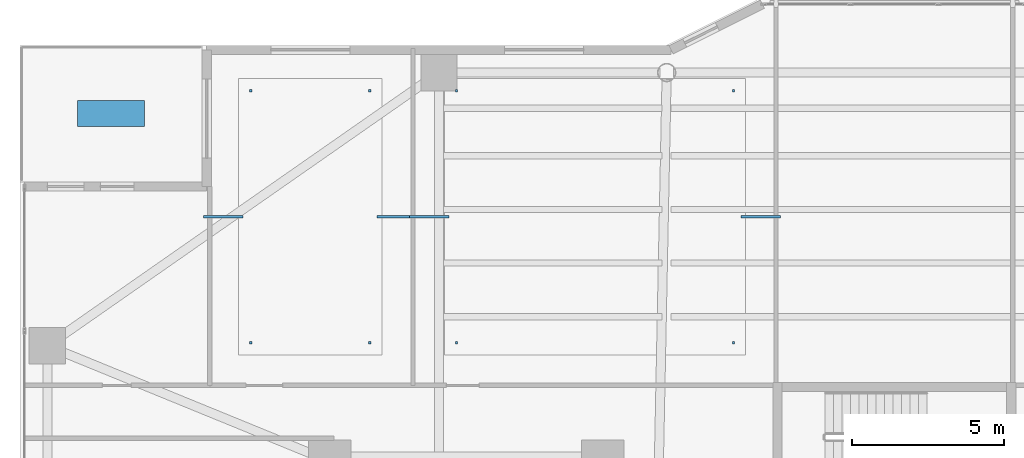
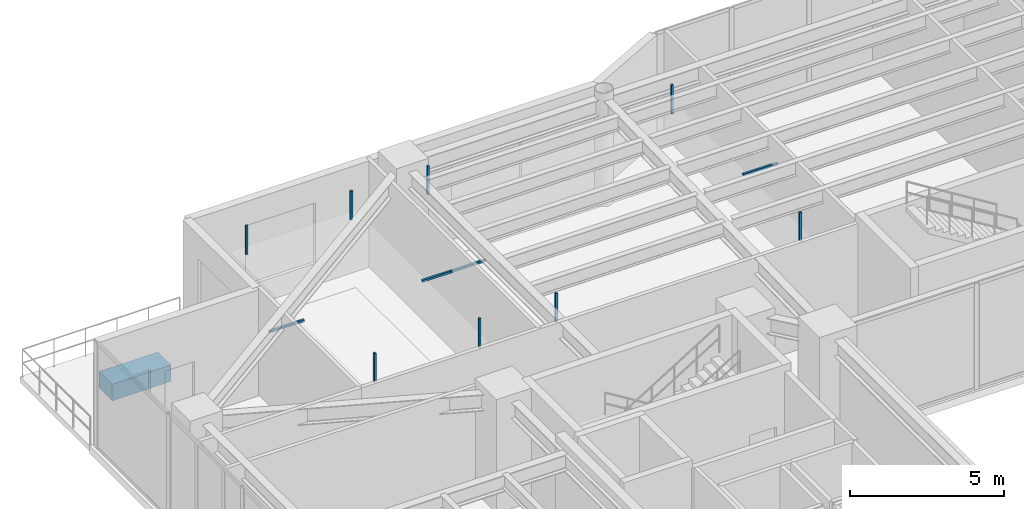
# One storey, part 35 of 40: 13 discrete accessories.
"""IFC4 building model written with IfcOpenShell, lengths in metres."""

from ifc_helpers import new_model, si_unit, direction, frame, origin, origin_2d, place, context, subcontext, project, spatial, rectangle, extrude, material, type_object, element, save


model = new_model("IFC4")

# Units and contexts
model_context = context("Model", 3, precision=1e-05, world=origin(), true_north=direction((0.0, 1.0)))
body_context = subcontext(model_context, "Body", "Model", "MODEL_VIEW")
ifc_project = project(units=[si_unit("LENGTHUNIT", "METRE"), si_unit("AREAUNIT", "SQUARE_METRE"), si_unit("VOLUMEUNIT", "CUBIC_METRE"), si_unit("PLANEANGLEUNIT", "RADIAN"), si_unit("MASSUNIT", "GRAM", prefix="KILO")], contexts=[model_context])

# Site, building, storey
site_placement = place(None, origin())
site = spatial("IfcSite", under=ifc_project, at=site_placement, CompositionType="ELEMENT")
building_placement = place(site_placement, origin())
building = spatial("IfcBuilding", under=site, at=building_placement, Name="Tarnavaz Court Tower", CompositionType="ELEMENT")
storey_placement = place(building_placement, frame((0.0, 0.0, 64.199951171875)))
storey = spatial("IfcBuildingStorey", under=building, at=storey_placement, Name="L17", CompositionType="ELEMENT", Elevation=64.199951171875)

# Discrete accessories
ifc_material_1 = material(Name="Anodised Aluminium 6063-T6", Category="aluminium")
discrete_accessory_type_1 = type_object("IfcDiscreteAccessoryType", Name="DA-BRKT-ALU", PredefinedType="BRACKET", material=ifc_material_1)
for number, where, z_axis, x_axis, name in (
    (1, (-21.199951171875, 13.89990234375, 3.09033203125), (0.0, 0.0, 1.0), (1.0, 0.0, 0.0), "L17 Ceiling Suspension Hanger Bracket 01-1"),
    (2, (-17.283935546875, 13.89990234375, 3.09033203125), (0.0, 0.0, 1.0), (1.0, 0.0, 0.0), "L17 Ceiling Suspension Hanger Bracket 01-2"),
    (3, (-17.283935546875, 22.199951171875, 3.09033203125), (0.0, 0.0, 1.0), (1.0, 0.0, 0.0), "L17 Ceiling Suspension Hanger Bracket 01-3"),
    (4, (-21.199951171875, 22.199951171875, 3.09033203125), (0.0, 0.0, 1.0), (1.0, 0.0, 0.0), "L17 Ceiling Suspension Hanger Bracket 01-4"),
):
    element("IfcDiscreteAccessory", number, at=place(storey_placement, frame(where, z_axis=z_axis, x_axis=x_axis)), inside=storey, type_object=discrete_accessory_type_1, Name=name, PredefinedType="BRACKET", context=body_context, shape_type="SweptSolid", body=[
        extrude(rectangle(XDim=0.080078125, YDim=0.080078125, at=origin_2d()), origin(), (0.0, 0.0, 1.0), 1.139892578125),
    ])
for number, where, z_axis, x_axis, name in (
    (5, (-22.10009765625, 18.050048828125, 3.052490234375), (0.0, 0.0, 1.0), (1.0, 0.0, 0.0), "L17 Ceiling Perimeter Wall-Tie Bracket 01-1"),
    (6, (-16.384033203125, 18.050048828125, 3.052490234375), (0.0, 0.0, 1.0), (1.0, 0.0, 0.0), "L17 Ceiling Perimeter Wall-Tie Bracket 01-2"),
):
    element("IfcDiscreteAccessory", number, at=place(storey_placement, frame(where, z_axis=z_axis, x_axis=x_axis)), inside=storey, type_object=discrete_accessory_type_1, Name=name, PredefinedType="BRACKET", context=body_context, shape_type="SweptSolid", body=[
        extrude(rectangle(XDim=1.300048828125, YDim=0.080078125, at=origin_2d()), origin(), (0.0, 0.0, 1.0), 0.080078125),
    ])
for number, where, z_axis, x_axis, name in (
    (7, (-14.424072265625, 13.89990234375, 3.09033203125), (0.0, 0.0, 1.0), (1.0, 0.0, 0.0), "L17 Ceiling Suspension Hanger Bracket 02-1"),
    (8, (-5.300048828125, 13.89990234375, 3.09033203125), (0.0, 0.0, 1.0), (1.0, 0.0, 0.0), "L17 Ceiling Suspension Hanger Bracket 02-2"),
    (9, (-5.300048828125, 22.199951171875, 3.09033203125), (0.0, 0.0, 1.0), (1.0, 0.0, 0.0), "L17 Ceiling Suspension Hanger Bracket 02-3"),
    (10, (-14.424072265625, 22.199951171875, 3.09033203125), (0.0, 0.0, 1.0), (1.0, 0.0, 0.0), "L17 Ceiling Suspension Hanger Bracket 02-4"),
):
    element("IfcDiscreteAccessory", number, at=place(storey_placement, frame(where, z_axis=z_axis, x_axis=x_axis)), inside=storey, type_object=discrete_accessory_type_1, Name=name, PredefinedType="BRACKET", context=body_context, shape_type="SweptSolid", body=[
        extrude(rectangle(XDim=0.080078125, YDim=0.080078125, at=origin_2d()), origin(), (0.0, 0.0, 1.0), 1.139892578125),
    ])
for number, where, z_axis, x_axis, name in (
    (11, (-15.323974609375, 18.050048828125, 3.052490234375), (0.0, 0.0, 1.0), (1.0, 0.0, 0.0), "L17 Ceiling Perimeter Wall-Tie Bracket 02-1"),
    (12, (-4.39990234375, 18.050048828125, 3.052490234375), (0.0, 0.0, 1.0), (1.0, 0.0, 0.0), "L17 Ceiling Perimeter Wall-Tie Bracket 02-2"),
):
    element("IfcDiscreteAccessory", number, at=place(storey_placement, frame(where, z_axis=z_axis, x_axis=x_axis)), inside=storey, type_object=discrete_accessory_type_1, Name=name, PredefinedType="BRACKET", context=body_context, shape_type="SweptSolid", body=[
        extrude(rectangle(XDim=1.300048828125, YDim=0.080078125, at=origin_2d()), origin(), (0.0, 0.0, 1.0), 0.080078125),
    ])
ifc_material_2 = material(Name="Terracotta Architectural Planter Trough", Category="masonry")
discrete_accessory_type_2 = type_object("IfcDiscreteAccessoryType", Name="DA-PLANTER-TC", PredefinedType="USERDEFINED", material=ifc_material_2)
discrete_accessory_placement = place(storey_placement, frame((-25.800048828125, 21.449951171875, 0.0), z_axis=(0.0, 0.0, 1.0), x_axis=(1.0, 0.0, 0.0)))
element("IfcDiscreteAccessory", 13, at=discrete_accessory_placement, inside=storey, type_object=discrete_accessory_type_2, Name="L17 Chahar-Bagh Terracotta Landscape Planter 2", ObjectType="PLANTER", PredefinedType="USERDEFINED", context=body_context, shape_type="SweptSolid", body=[
    extrude(rectangle(XDim=2.199951171875, YDim=0.85009765625, at=origin_2d()), origin(), (0.0, 0.0, 1.0), 0.64990234375),
])

save(model, "model.ifc")
